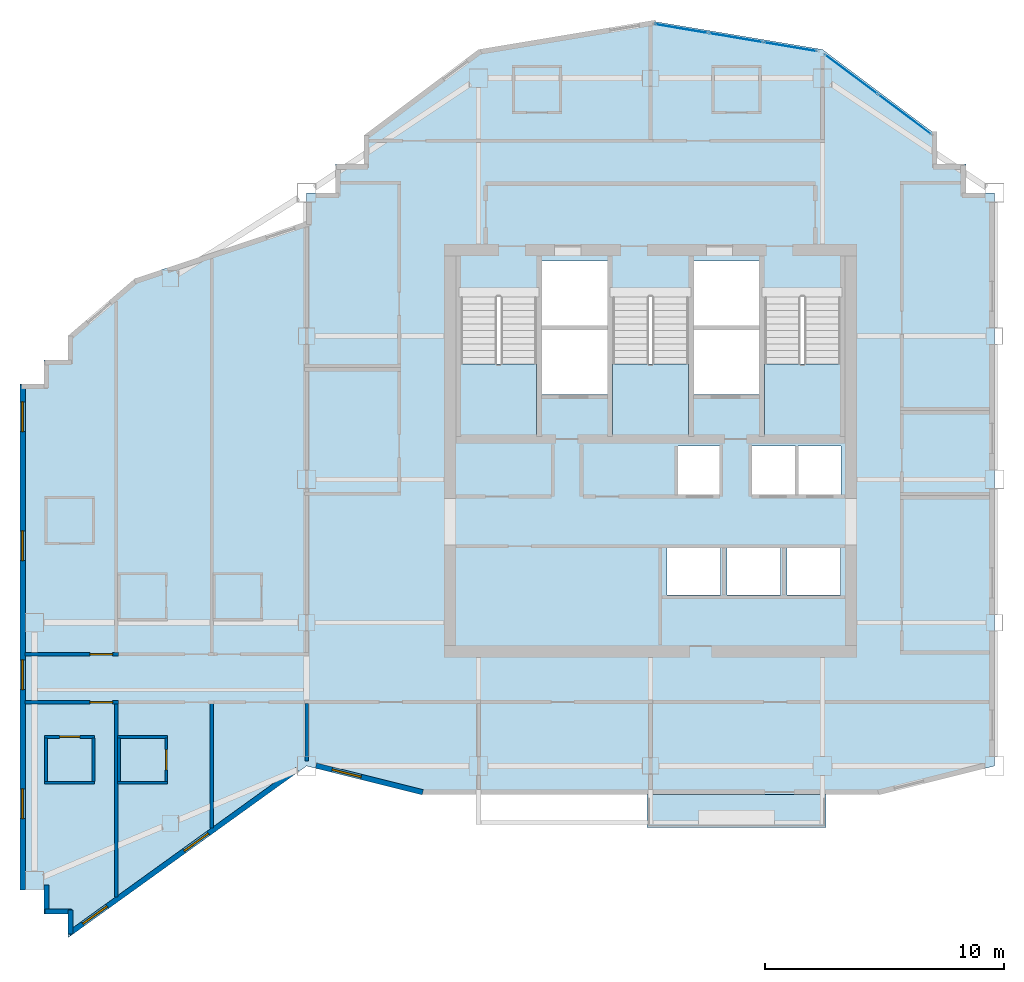
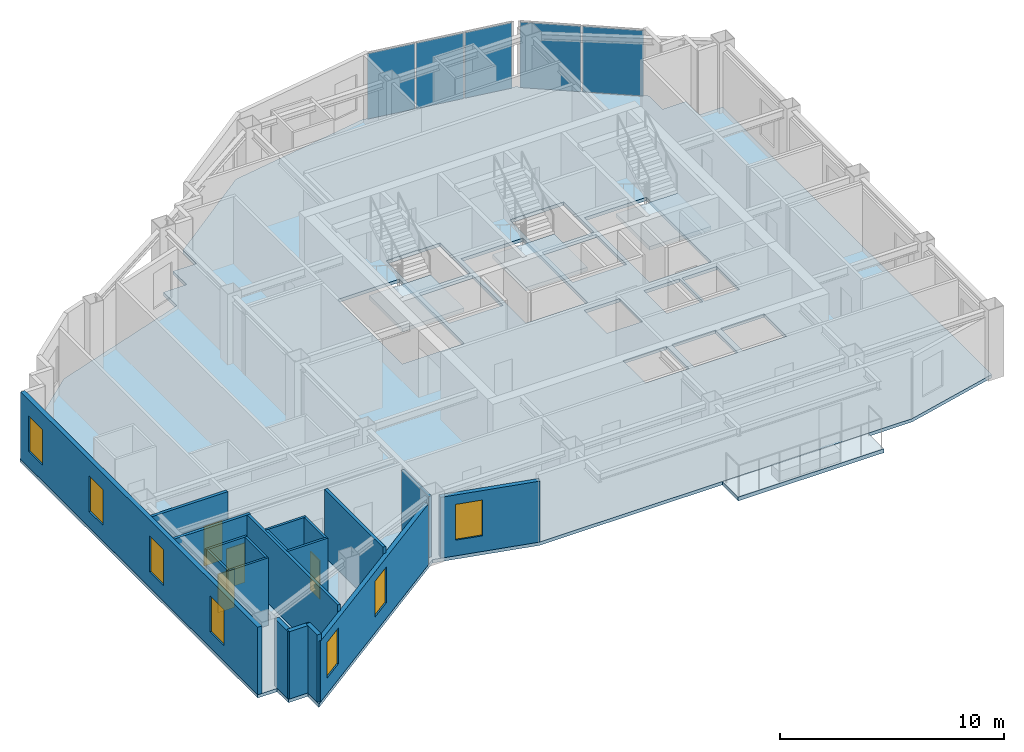
# One storey, part 4 of 9: 19 walls, 7 windows, 5 plates, 5 slabs, 4 doors, 11 openings, 5 elements without a shape of their own.
"""IFC4 building model written with IfcOpenShell, lengths in metres."""

from ifc_helpers import new_model, si_unit, direction, frame, frame_2d, origin, origin_2d, place, context, subcontext, project, spatial, polyline, rectangle, outline, extrude, material, layer, layer_set, type_object, element, fill, aggregate, save


model = new_model("IFC4")

# Units and contexts
model_context = context("Model", 3, precision=1e-05, world=origin(), true_north=direction((0.0, 1.0)))
body_context = subcontext(model_context, "Body", "Model", "MODEL_VIEW")
ifc_project = project(units=[si_unit("LENGTHUNIT", "METRE"), si_unit("AREAUNIT", "SQUARE_METRE"), si_unit("VOLUMEUNIT", "CUBIC_METRE"), si_unit("PLANEANGLEUNIT", "RADIAN"), si_unit("MASSUNIT", "GRAM", prefix="KILO")], contexts=[model_context])

# Site, building, storey
site_placement = place(None, origin())
site = spatial("IfcSite", under=ifc_project, at=site_placement, CompositionType="ELEMENT")
building_placement = place(site_placement, origin())
building = spatial("IfcBuilding", under=site, at=building_placement, Name="Haolan Belvedere Tower", CompositionType="ELEMENT")
storey_placement = place(building_placement, frame((0.0, 0.0, 269.85009765625)))
storey = spatial("IfcBuildingStorey", under=building, at=storey_placement, Name="L68", CompositionType="ELEMENT", Elevation=269.85009765625)

# Curtain wall, plates
ifc_material_1 = material(Name="Anodised champagne-silver aluminium 6063-T6 and Low-E glass", Category="aluminium")
ifc_layer_1 = layer(ifc_material_1, 0.14501953125, Name="Anodised champagne-silver aluminium 6063-T6 and Low-E glass")
ifc_layer_set_1 = layer_set([ifc_layer_1], Name="Anodised champagne-silver aluminium 6063-T6 and Low-E glass")
curtain_wall_type = type_object("IfcCurtainWallType", Name="CW-SYS-05", PredefinedType="NOTDEFINED", material=ifc_layer_set_1)
curtain_wall_1_placement = place(storey_placement, origin())
curtain_wall_1 = element("IfcCurtainWall", 1, at=curtain_wall_1_placement, inside=storey, type_object=curtain_wall_type, Name="L68 CW-SYS-05 ribbon curtain wall 8.1", PredefinedType="NOTDEFINED")
ifc_material_2 = material(Name="Double silver Low-E laminated insulating glass", Category="glass")
ifc_layer_2 = layer(ifc_material_2, 0.02197265625, Name="Double silver Low-E laminated insulating glass")
ifc_layer_set_2 = layer_set([ifc_layer_2], Name="Double silver Low-E laminated insulating glass")
plate_type = type_object("IfcPlateType", Name="CW-SYS-05-PNL", PredefinedType="CURTAIN_PANEL", material=ifc_layer_set_2)
plate_1_placement = place(storey_placement, frame((49.03955078125, 48.8828125, 0.0498046875), z_axis=(0.0, 0.0, 1.0), x_axis=(-0.799997871638, 0.600002837806, 0.0)))
plate_1 = element("IfcPlate", 2, at=plate_1_placement, type_object=plate_type, Name="CW-05 panel 1.1", PredefinedType="CURTAIN_PANEL", context=body_context, shape_type="SweptSolid", body=[
    extrude(rectangle(XDim=2.738037109375, YDim=0.02197265625, at=origin_2d()), origin(), (0.0, 0.0, 1.0), 3.570068359375),
])
plate_2_placement = place(storey_placement, frame((46.805908203125, 50.55810546875, 0.0498046875), z_axis=(0.0, 0.0, 1.0), x_axis=(-0.799997871638, 0.600002837806, 0.0)))
plate_2 = element("IfcPlate", 3, at=plate_2_placement, type_object=plate_type, Name="CW-05 panel 2.1", PredefinedType="CURTAIN_PANEL", context=body_context, shape_type="SweptSolid", body=[
    extrude(rectangle(XDim=2.738037109375, YDim=0.02197265625, at=origin_2d()), origin(), (0.0, 0.0, 1.0), 3.570068359375),
])
aggregate(curtain_wall_1, [plate_1, plate_2])

curtain_wall_2_placement = place(storey_placement, origin())
curtain_wall_2 = element("IfcCurtainWall", 4, at=curtain_wall_2_placement, inside=storey, type_object=curtain_wall_type, Name="L68 CW-SYS-05 ribbon curtain wall 9.1", PredefinedType="NOTDEFINED")
plate_3_placement = place(storey_placement, frame((44.257568359375, 51.712158203125, 0.0498046875), z_axis=(0.0, 0.0, 1.0), x_axis=(-0.98639276122, 0.164405962825, 0.0)))
plate_3 = element("IfcPlate", 5, at=plate_3_placement, type_object=plate_type, Name="CW-05 panel 1.1", PredefinedType="CURTAIN_PANEL", context=body_context, shape_type="SweptSolid", body=[
    extrude(rectangle(XDim=2.24365234375, YDim=0.02197265625, at=origin_2d()), origin(), (0.0, 0.0, 1.0), 3.570068359375),
])
plate_4_placement = place(storey_placement, frame((41.977783203125, 52.09228515625, 0.0498046875), z_axis=(0.0, 0.0, 1.0), x_axis=(-0.98639276122, 0.164405962825, 0.0)))
plate_4 = element("IfcPlate", 6, at=plate_4_placement, type_object=plate_type, Name="CW-05 panel 2.1", PredefinedType="CURTAIN_PANEL", context=body_context, shape_type="SweptSolid", body=[
    extrude(rectangle(XDim=2.270751953125, YDim=0.02197265625, at=origin_2d()), origin(), (0.0, 0.0, 1.0), 3.570068359375),
])
plate_5_placement = place(storey_placement, frame((39.697998046875, 52.47216796875, 0.0498046875), z_axis=(0.0, 0.0, 1.0), x_axis=(-0.98639276122, 0.164405962825, 0.0)))
plate_5 = element("IfcPlate", 7, at=plate_5_placement, type_object=plate_type, Name="CW-05 panel 3.1", PredefinedType="CURTAIN_PANEL", context=body_context, shape_type="SweptSolid", body=[
    extrude(rectangle(XDim=2.24365234375, YDim=0.02197265625, at=origin_2d()), origin(), (0.0, 0.0, 1.0), 3.570068359375),
])
aggregate(curtain_wall_2, [plate_3, plate_4, plate_5])

# Slabs
ifc_material_3 = material(Name="Concrete C40/50", Category="concrete")
ifc_layer_3 = layer(ifc_material_3, 0.2099609375, Name="Concrete C40/50")
ifc_layer_set_3 = layer_set([ifc_layer_3], Name="Concrete C40/50")
slab_type_1 = type_object("IfcSlabType", Name="SL-BAL-210", PredefinedType="FLOOR", material=ifc_layer_set_3)
slab_1_placement = place(storey_placement, frame((0.0, 0.0, -0.22998046875)))
element("IfcSlab", 8, at=slab_1_placement, inside=storey, type_object=slab_type_1, Name="L68 structural tree-planter balcony slab BAL-L68-S1", PredefinedType="FLOOR", context=body_context, shape_type="SweptSolid", body=[
    extrude(outline(polyline([(38.25, 19.02001953125), (45.75, 19.02001953125), (45.75, 20.39990234375), (38.25, 20.39990234375), (38.25, 19.02001953125)])), origin(), (0.0, 0.0, 1.0), 0.2099609375),
])
ifc_layer_4 = layer(ifc_material_3, 0.179931640625, Name="Concrete C40/50")
ifc_layer_set_4 = layer_set([ifc_layer_4], Name="Concrete C40/50")
slab_type_2 = type_object("IfcSlabType", Name="SL-FLR-180", PredefinedType="FLOOR", material=ifc_layer_set_4)
slab_2_placement = place(storey_placement, frame((0.0, 0.0, -0.18017578125)))
element("IfcSlab", 9, at=slab_2_placement, inside=storey, type_object=slab_type_2, Name="L68 structural floor slab", PredefinedType="FLOOR", context=body_context, shape_type="SweptSolid", body=[
    extrude(outline(polyline([(24.0, 21.60009765625), (28.800048828125, 20.39990234375), (48.0, 20.39990234375), (52.800048828125, 21.60009765625), (52.800048828125, 45.60009765625), (51.60009765625, 45.60009765625), (51.60009765625, 46.800048828125), (50.39990234375, 46.800048828125), (50.39990234375, 48.0), (45.60009765625, 51.60009765625), (38.39990234375, 52.800048828125), (31.199951171875, 51.60009765625), (26.39990234375, 48.0), (26.39990234375, 46.800048828125), (25.199951171875, 46.800048828125), (25.199951171875, 45.60009765625), (24.0, 45.60009765625), (24.0, 44.39990234375), (16.800048828125, 42.0), (14.0, 39.60009765625), (14.0, 38.60009765625), (13.0, 38.60009765625), (13.0, 37.60009765625), (12.0, 37.60009765625), (12.0, 16.800048828125), (12.0, 16.39990234375), (13.0, 16.39990234375), (13.0, 15.39990234375), (14.0, 15.39990234375), (14.0, 14.39990234375), (24.0, 21.60009765625)]), holes=[polyline([(30.449951171875, 41.22998046875), (30.449951171875, 35.449951171875), (33.6298828125, 35.449951171875), (33.6298828125, 41.22998046875), (30.449951171875, 41.22998046875)]), polyline([(36.81005859375, 41.22998046875), (36.81005859375, 35.449951171875), (39.989990234375, 35.449951171875), (39.989990234375, 41.22998046875), (36.81005859375, 41.22998046875)]), polyline([(43.169921875, 41.22998046875), (43.169921875, 35.449951171875), (46.35009765625, 35.449951171875), (46.35009765625, 41.22998046875), (43.169921875, 41.22998046875)]), polyline([(33.830078125, 40.050048828125), (36.610107421875, 40.050048828125), (36.610107421875, 42.75), (33.830078125, 42.75), (33.830078125, 40.050048828125)]), polyline([(33.830078125, 37.14990234375), (36.610107421875, 37.14990234375), (36.610107421875, 39.85009765625), (33.830078125, 39.85009765625), (33.830078125, 37.14990234375)]), polyline([(40.18994140625, 40.050048828125), (42.969970703125, 40.050048828125), (42.969970703125, 42.75), (40.18994140625, 42.75), (40.18994140625, 40.050048828125)]), polyline([(40.18994140625, 37.14990234375), (42.969970703125, 37.14990234375), (42.969970703125, 39.85009765625), (40.18994140625, 39.85009765625), (40.18994140625, 37.14990234375)]), polyline([(39.5400390625, 32.949951171875), (41.389892578125, 32.949951171875), (41.389892578125, 35.0), (39.5400390625, 35.0), (39.5400390625, 32.949951171875)]), polyline([(42.6201171875, 32.949951171875), (44.469970703125, 32.949951171875), (44.469970703125, 35.0), (42.6201171875, 35.0), (42.6201171875, 32.949951171875)]), polyline([(44.580078125, 32.949951171875), (46.3798828125, 32.949951171875), (46.3798828125, 35.0), (44.580078125, 35.0), (44.580078125, 32.949951171875)]), polyline([(39.10009765625, 28.75), (41.340087890625, 28.75), (41.340087890625, 30.75), (39.10009765625, 30.75), (39.10009765625, 28.75)]), polyline([(41.610107421875, 28.75), (43.85009765625, 28.75), (43.85009765625, 30.75), (41.610107421875, 30.75), (41.610107421875, 28.75)]), polyline([(44.1201171875, 28.75), (46.360107421875, 28.75), (46.360107421875, 30.75), (44.1201171875, 30.75), (44.1201171875, 28.75)])]), origin(), (0.0, 0.0, 1.0), 0.18017578125),
])

# Stair, slab
stair_type = type_object("IfcStairType", Name="STR-DL-22R-175", PredefinedType="HALF_TURN_STAIR", material=ifc_material_3)
stair_1_placement = place(storey_placement, origin())
stair_1 = element("IfcStair", 10, at=stair_1_placement, inside=storey, type_object=stair_type, Name="L68 Smokeproof Core Exit Stair ST1", PredefinedType="HALF_TURN_STAIR")
ifc_layer_5 = layer(ifc_material_3, 0.199951171875, Name="Concrete C40/50")
ifc_layer_set_5 = layer_set([ifc_layer_5], Name="Concrete C40/50")
slab_type_3 = type_object("IfcSlabType", Name="SL-LAND-200", PredefinedType="LANDING", material=ifc_layer_set_5)
slab_3_placement = place(storey_placement, frame((0.0, 0.0, 1.724853515625)))
slab_3 = element("IfcSlab", 11, at=slab_3_placement, type_object=slab_type_3, Name="ST1 landing 1", PredefinedType="LANDING", context=body_context, shape_type="SweptSolid", body=[
    extrude(outline(polyline([(30.449951171875, 38.429931640625), (30.449951171875, 35.449951171875), (33.6298828125, 35.449951171875), (33.6298828125, 38.429931640625), (30.449951171875, 38.429931640625)])), origin(), (0.0, 0.0, 1.0), 0.199951171875),
])
aggregate(stair_1, [slab_3])

stair_2_placement = place(storey_placement, origin())
stair_2 = element("IfcStair", 12, at=stair_2_placement, inside=storey, type_object=stair_type, Name="L68 Smokeproof Core Exit Stair ST3", PredefinedType="HALF_TURN_STAIR")
slab_4_placement = place(storey_placement, frame((0.0, 0.0, 1.724853515625)))
slab_4 = element("IfcSlab", 13, at=slab_4_placement, type_object=slab_type_3, Name="ST3 landing 1", PredefinedType="LANDING", context=body_context, shape_type="SweptSolid", body=[
    extrude(outline(polyline([(36.81005859375, 38.429931640625), (36.81005859375, 35.449951171875), (39.989990234375, 35.449951171875), (39.989990234375, 38.429931640625), (36.81005859375, 38.429931640625)])), origin(), (0.0, 0.0, 1.0), 0.199951171875),
])
aggregate(stair_2, [slab_4])

stair_3_placement = place(storey_placement, origin())
stair_3 = element("IfcStair", 14, at=stair_3_placement, inside=storey, type_object=stair_type, Name="L68 Smokeproof Core Exit Stair ST2", PredefinedType="HALF_TURN_STAIR")
slab_5_placement = place(storey_placement, frame((0.0, 0.0, 1.724853515625)))
slab_5 = element("IfcSlab", 15, at=slab_5_placement, type_object=slab_type_3, Name="ST2 landing 1", PredefinedType="LANDING", context=body_context, shape_type="SweptSolid", body=[
    extrude(outline(polyline([(43.169921875, 38.429931640625), (43.169921875, 35.449951171875), (46.35009765625, 35.449951171875), (46.35009765625, 38.429931640625), (43.169921875, 38.429931640625)])), origin(), (0.0, 0.0, 1.0), 0.199951171875),
])
aggregate(stair_3, [slab_5])

# Wall, openings, windows
ifc_material_4 = material(Name="Precast concrete C40/50", Category="concrete")
ifc_layer_6 = layer(ifc_material_4, 0.219970703125, Name="Precast concrete C40/50")
ifc_layer_set_6 = layer_set([ifc_layer_6], Name="Precast concrete C40/50")
wall_type_1 = type_object("IfcWallType", Name="WL-EXT-220", PredefinedType="SOLIDWALL", material=ifc_layer_set_6)
wall_1_placement = place(storey_placement, frame((12.110107421875, 37.544921875, 0.0), z_axis=(0.0, 0.0, 1.0), x_axis=(0.0, -1.0, 0.0)))
wall_1 = element("IfcWall", 16, at=wall_1_placement, inside=storey, type_object=wall_type_1, Name="L68 pale-metal exterior spandrel wall 23.1", PredefinedType="SOLIDWALL", context=body_context, shape_type="SweptSolid", body=[
    extrude(rectangle(XDim=21.14501953125, YDim=0.219970703125, at=frame_2d((10.572509765625, 0.0))), origin(), (0.0, 0.0, 1.0), 3.669921875),
])
opening_1_placement = place(wall_1_placement, frame((0.699951171875, 0.0, 0.85009765625)))
opening_1 = element("IfcOpeningElement", 17, at=opening_1_placement, cuts=wall_1, Name="Opening W-04", PredefinedType="OPENING", context=body_context, shape_type="SweptSolid", body=[
    extrude(rectangle(XDim=1.25, YDim=1.949951171875, at=frame_2d((0.625, 0.97509765625))), frame((0.0, 0.119873046875, 0.0), z_axis=(0.0, -1.0, 0.0), x_axis=(1.0, 0.0, 0.0)), (0.0, 0.0, 1.0), 0.239990234375),
])
opening_2_placement = place(wall_1_placement, frame((6.10009765625, 0.0, 0.85009765625)))
opening_2 = element("IfcOpeningElement", 18, at=opening_2_placement, cuts=wall_1, Name="Opening W-04", PredefinedType="OPENING", context=body_context, shape_type="SweptSolid", body=[
    extrude(rectangle(XDim=1.25, YDim=1.949951171875, at=frame_2d((0.625, 0.97509765625))), frame((0.0, 0.119873046875, 0.0), z_axis=(0.0, -1.0, 0.0), x_axis=(1.0, 0.0, 0.0)), (0.0, 0.0, 1.0), 0.239990234375),
])
opening_3_placement = place(wall_1_placement, frame((11.5, 0.0, 0.85009765625)))
opening_3 = element("IfcOpeningElement", 19, at=opening_3_placement, cuts=wall_1, Name="Opening W-04", PredefinedType="OPENING", context=body_context, shape_type="SweptSolid", body=[
    extrude(rectangle(XDim=1.25, YDim=1.949951171875, at=frame_2d((0.625, 0.97509765625))), frame((0.0, 0.119873046875, 0.0), z_axis=(0.0, -1.0, 0.0), x_axis=(1.0, 0.0, 0.0)), (0.0, 0.0, 1.0), 0.239990234375),
])
opening_4_placement = place(wall_1_placement, frame((16.89990234375, 0.0, 0.85009765625)))
opening_4 = element("IfcOpeningElement", 20, at=opening_4_placement, cuts=wall_1, Name="Opening W-04", PredefinedType="OPENING", context=body_context, shape_type="SweptSolid", body=[
    extrude(rectangle(XDim=1.25, YDim=1.949951171875, at=frame_2d((0.625, 0.97509765625))), frame((0.0, 0.119873046875, 0.0), z_axis=(0.0, -1.0, 0.0), x_axis=(1.0, 0.0, 0.0)), (0.0, 0.0, 1.0), 0.239990234375),
])
ifc_material_5 = material(Name="Anodised aluminium 6063-T6 and Low-E glass", Category="aluminium")
window_type = type_object("IfcWindowType", Name="WN-DECO-Z4", PartitioningType="SINGLE_PANEL", PredefinedType="WINDOW", material=ifc_material_5)
window_1_placement = place(opening_1_placement, origin())
window_1 = element("IfcWindow", 21, at=window_1_placement, inside=storey, type_object=window_type, Name="L68 Art Deco chevron window 1", OverallHeight=1.949951171875, OverallWidth=1.25, PartitioningType="SINGLE_PANEL", PredefinedType="WINDOW", context=body_context, shape_type="SweptSolid", body=[
    extrude(rectangle(XDim=1.25, YDim=1.949951171875, at=frame_2d((0.625, 0.97509765625))), frame((0.0, 0.030029296875, 0.0), z_axis=(0.0, -1.0, 0.0), x_axis=(1.0, 0.0, 0.0)), (0.0, 0.0, 1.0), 0.06005859375),
])
fill(opening_1, window_1)
window_2_placement = place(opening_2_placement, origin())
window_2 = element("IfcWindow", 22, at=window_2_placement, inside=storey, type_object=window_type, Name="L68 Art Deco chevron window 2", OverallHeight=1.949951171875, OverallWidth=1.25, PartitioningType="SINGLE_PANEL", PredefinedType="WINDOW", context=body_context, shape_type="SweptSolid", body=[
    extrude(rectangle(XDim=1.25, YDim=1.949951171875, at=frame_2d((0.625, 0.97509765625))), frame((0.0, 0.030029296875, 0.0), z_axis=(0.0, -1.0, 0.0), x_axis=(1.0, 0.0, 0.0)), (0.0, 0.0, 1.0), 0.06005859375),
])
fill(opening_2, window_2)
window_3_placement = place(opening_3_placement, origin())
window_3 = element("IfcWindow", 23, at=window_3_placement, inside=storey, type_object=window_type, Name="L68 Art Deco chevron window 3", OverallHeight=1.949951171875, OverallWidth=1.25, PartitioningType="SINGLE_PANEL", PredefinedType="WINDOW", context=body_context, shape_type="SweptSolid", body=[
    extrude(rectangle(XDim=1.25, YDim=1.949951171875, at=frame_2d((0.625, 0.97509765625))), frame((0.0, 0.030029296875, 0.0), z_axis=(0.0, -1.0, 0.0), x_axis=(1.0, 0.0, 0.0)), (0.0, 0.0, 1.0), 0.06005859375),
])
fill(opening_3, window_3)
window_4_placement = place(opening_4_placement, origin())
window_4 = element("IfcWindow", 24, at=window_4_placement, inside=storey, type_object=window_type, Name="L68 Art Deco chevron window 4", OverallHeight=1.949951171875, OverallWidth=1.25, PartitioningType="SINGLE_PANEL", PredefinedType="WINDOW", context=body_context, shape_type="SweptSolid", body=[
    extrude(rectangle(XDim=1.25, YDim=1.949951171875, at=frame_2d((0.625, 0.97509765625))), frame((0.0, 0.030029296875, 0.0), z_axis=(0.0, -1.0, 0.0), x_axis=(1.0, 0.0, 0.0)), (0.0, 0.0, 1.0), 0.06005859375),
])
fill(opening_4, window_4)

# Walls
wall_2_placement = place(storey_placement, frame((13.110107421875, 16.6201171875, 0.0), z_axis=(0.0, 0.0, 1.0), x_axis=(0.0, -1.0, 0.0)))
element("IfcWall", 25, at=wall_2_placement, inside=storey, type_object=wall_type_1, Name="L68 pale-metal exterior spandrel wall 25.1", PredefinedType="SOLIDWALL", context=body_context, shape_type="SweptSolid", body=[
    extrude(rectangle(XDim=1.1650390625, YDim=0.219970703125, at=frame_2d((0.58251953125, 0.0))), origin(), (0.0, 0.0, 1.0), 3.669921875),
])
wall_3_placement = place(storey_placement, frame((13.054931640625, 15.510009765625, 0.0), z_axis=(0.0, 0.0, 1.0), x_axis=(1.0, 0.0, 0.0)))
element("IfcWall", 26, at=wall_3_placement, inside=storey, type_object=wall_type_1, Name="L68 pale-metal exterior spandrel wall 26.1", PredefinedType="SOLIDWALL", context=body_context, shape_type="SweptSolid", body=[
    extrude(rectangle(XDim=1.110107421875, YDim=0.219970703125, at=frame_2d((0.55517578125, 0.0))), origin(), (0.0, 0.0, 1.0), 3.669921875),
])
wall_4_placement = place(storey_placement, frame((14.110107421875, 15.56494140625, 0.0), z_axis=(0.0, 0.0, 1.0), x_axis=(0.0, -1.0, 0.0)))
element("IfcWall", 27, at=wall_4_placement, inside=storey, type_object=wall_type_1, Name="L68 pale-metal exterior spandrel wall 27.1", PredefinedType="SOLIDWALL", context=body_context, shape_type="SweptSolid", body=[
    extrude(rectangle(XDim=1.005126953125, YDim=0.219970703125, at=frame_2d((0.50244140625, 0.0))), origin(), (0.0, 0.0, 1.0), 3.669921875),
])

# Wall, openings, windows
wall_5_placement = place(storey_placement, frame((14.0654296875, 14.58251953125, 0.0), z_axis=(0.0, 0.0, 1.0), x_axis=(0.811523708458, 0.584319493608, 0.0)))
wall_5 = element("IfcWall", 28, at=wall_5_placement, inside=storey, type_object=wall_type_1, Name="L68 pale-metal exterior spandrel wall 28.1", PredefinedType="SOLIDWALL", context=body_context, shape_type="SweptSolid", body=[
    extrude(rectangle(XDim=11.7587890625, YDim=0.219970703125, at=frame_2d((5.87939453125, 0.0))), origin(), (0.0, 0.0, 1.0), 3.31494140625),
])
opening_5_placement = place(wall_5_placement, frame((0.699951171875, 0.0, 0.85009765625)))
opening_5 = element("IfcOpeningElement", 29, at=opening_5_placement, cuts=wall_5, Name="Opening W-04", PredefinedType="OPENING", context=body_context, shape_type="SweptSolid", body=[
    extrude(rectangle(XDim=1.25, YDim=1.949951171875, at=frame_2d((0.625, 0.97509765625))), frame((0.0, 0.119873046875, 0.0), z_axis=(0.0, -1.0, 0.0), x_axis=(1.0, 0.0, 0.0)), (0.0, 0.0, 1.0), 0.239990234375),
])
opening_6_placement = place(wall_5_placement, frame((5.92578125, 0.0, 0.85009765625)))
opening_6 = element("IfcOpeningElement", 30, at=opening_6_placement, cuts=wall_5, Name="Opening W-04", PredefinedType="OPENING", context=body_context, shape_type="SweptSolid", body=[
    extrude(rectangle(XDim=1.25, YDim=1.949951171875, at=frame_2d((0.625, 0.97509765625))), frame((0.0, 0.119873046875, 0.0), z_axis=(0.0, -1.0, 0.0), x_axis=(1.0, 0.0, 0.0)), (0.0, 0.0, 1.0), 0.239990234375),
])
window_5_placement = place(opening_5_placement, origin())
window_5 = element("IfcWindow", 31, at=window_5_placement, inside=storey, type_object=window_type, Name="L68 Art Deco chevron window 1", OverallHeight=1.949951171875, OverallWidth=1.25, PartitioningType="SINGLE_PANEL", PredefinedType="WINDOW", context=body_context, shape_type="SweptSolid", body=[
    extrude(rectangle(XDim=1.25, YDim=1.949951171875, at=frame_2d((0.625, 0.97509765625))), frame((0.0, 0.030029296875, 0.0), z_axis=(0.0, -1.0, 0.0), x_axis=(1.0, 0.0, 0.0)), (0.0, 0.0, 1.0), 0.06005859375),
])
fill(opening_5, window_5)
window_6_placement = place(opening_6_placement, origin())
window_6 = element("IfcWindow", 32, at=window_6_placement, inside=storey, type_object=window_type, Name="L68 Art Deco chevron window 2", OverallHeight=1.949951171875, OverallWidth=1.25, PartitioningType="SINGLE_PANEL", PredefinedType="WINDOW", context=body_context, shape_type="SweptSolid", body=[
    extrude(rectangle(XDim=1.25, YDim=1.949951171875, at=frame_2d((0.625, 0.97509765625))), frame((0.0, 0.030029296875, 0.0), z_axis=(0.0, -1.0, 0.0), x_axis=(1.0, 0.0, 0.0)), (0.0, 0.0, 1.0), 0.06005859375),
])
fill(opening_6, window_6)

# Wall, opening, window
wall_6_placement = place(storey_placement, frame((24.39208984375, 21.615478515625, 0.0), z_axis=(0.0, 0.0, 1.0), x_axis=(0.970133159038, -0.242572986408, 0.0)))
wall_6 = element("IfcWall", 33, at=wall_6_placement, inside=storey, type_object=wall_type_1, Name="L68 pale-metal exterior spandrel wall 29.1", PredefinedType="SOLIDWALL", context=body_context, shape_type="SweptSolid", body=[
    extrude(rectangle(XDim=4.612548828125, YDim=0.219970703125, at=frame_2d((2.30615234375, 0.0))), origin(), (0.0, 0.0, 1.0), 3.31494140625),
])
opening_7_placement = place(wall_6_placement, frame((0.699951171875, 0.0, 0.85009765625)))
opening_7 = element("IfcOpeningElement", 34, at=opening_7_placement, cuts=wall_6, Name="Opening W-04", PredefinedType="OPENING", context=body_context, shape_type="SweptSolid", body=[
    extrude(rectangle(XDim=1.25, YDim=1.949951171875, at=frame_2d((0.625, 0.97509765625))), frame((0.0, 0.119873046875, 0.0), z_axis=(0.0, -1.0, 0.0), x_axis=(1.0, 0.0, 0.0)), (0.0, 0.0, 1.0), 0.239990234375),
])
window_7_placement = place(opening_7_placement, origin())
window_7 = element("IfcWindow", 35, at=window_7_placement, inside=storey, type_object=window_type, Name="L68 Art Deco chevron window 1", OverallHeight=1.949951171875, OverallWidth=1.25, PartitioningType="SINGLE_PANEL", PredefinedType="WINDOW", context=body_context, shape_type="SweptSolid", body=[
    extrude(rectangle(XDim=1.25, YDim=1.949951171875, at=frame_2d((0.625, 0.97509765625))), frame((0.0, 0.030029296875, 0.0), z_axis=(0.0, -1.0, 0.0), x_axis=(1.0, 0.0, 0.0)), (0.0, 0.0, 1.0), 0.06005859375),
])
fill(opening_7, window_7)

# Wall
ifc_material_6 = material(Name="Double gypsum acoustic stud partition", Category="masonry")
ifc_layer_7 = layer(ifc_material_6, 0.14990234375, Name="Double gypsum acoustic stud partition")
ifc_layer_set_7 = layer_set([ifc_layer_7], Name="Double gypsum acoustic stud partition")
wall_type_2 = type_object("IfcWallType", Name="WL-PART-150", PredefinedType="PARTITIONING", material=ifc_layer_set_7)
wall_7_placement = place(storey_placement, frame((24.0, 21.818603515625, 0.0), z_axis=(0.0, 0.0, 1.0), x_axis=(0.0, 1.0, 0.0)))
element("IfcWall", 36, at=wall_7_placement, inside=storey, type_object=wall_type_2, Name="L68 interior partition IW-L68-KS1-W", PredefinedType="PARTITIONING", context=body_context, shape_type="SweptSolid", body=[
    extrude(rectangle(XDim=2.4013671875, YDim=0.14990234375, at=frame_2d((1.20068359375, 0.0))), origin(), (0.0, 0.0, 1.0), 3.31494140625),
])

# Wall, opening, door
wall_8_placement = place(storey_placement, frame((12.2119140625, 26.280029296875, 0.0), z_axis=(0.0, 0.0, 1.0), x_axis=(1.0, 0.0, 0.0)))
wall_8 = element("IfcWall", 37, at=wall_8_placement, inside=storey, type_object=wall_type_2, Name="L68 interior partition IW-L68-T2N1-S", PredefinedType="PARTITIONING", context=body_context, shape_type="SweptSolid", body=[
    extrude(rectangle(XDim=3.91796875, YDim=0.14990234375, at=frame_2d((1.958984375, 0.0))), origin(), (0.0, 0.0, 1.0), 3.669921875),
])
opening_8_placement = place(wall_8_placement, frame((2.71337890625, 0.0, 0.0)))
opening_8 = element("IfcOpeningElement", 38, at=opening_8_placement, cuts=wall_8, Name="Opening ID-02", PredefinedType="OPENING", context=body_context, shape_type="SweptSolid", body=[
    extrude(rectangle(XDim=0.949951171875, YDim=2.14990234375, at=frame_2d((0.47509765625, 1.074951171875))), frame((0.0, 0.0849609375, 0.0), z_axis=(0.0, -1.0, 0.0), x_axis=(1.0, 0.0, 0.0)), (0.0, 0.0, 1.0), 0.169921875),
])
ifc_material_7 = material(Name="Acoustic oak veneer fire-rated timber", Category="wood")
door_type_1 = type_object("IfcDoorType", Name="DR-GUEST-950", OperationType="NOTDEFINED", PredefinedType="DOOR", material=ifc_material_7)
door_1_placement = place(opening_8_placement, origin())
door_1 = element("IfcDoor", 39, at=door_1_placement, inside=storey, type_object=door_type_1, Name="L68 door ID-L68-T2N1-ENT", OperationType="SINGLE_SWING_RIGHT", OverallHeight=2.14990234375, OverallWidth=0.949951171875, PredefinedType="DOOR", context=body_context, shape_type="SweptSolid", body=[
    extrude(rectangle(XDim=0.949951171875, YDim=2.14990234375, at=frame_2d((0.47509765625, 1.074951171875))), frame((0.0, 0.02490234375, 0.0), z_axis=(0.0, -1.0, 0.0), x_axis=(1.0, 0.0, 0.0)), (0.0, 0.0, 1.0), 0.050048828125),
])
fill(opening_8, door_1)

wall_9_placement = place(storey_placement, frame((12.2119140625, 24.27001953125, 0.0), z_axis=(0.0, 0.0, 1.0), x_axis=(1.0, 0.0, 0.0)))
wall_9 = element("IfcWall", 40, at=wall_9_placement, inside=storey, type_object=wall_type_2, Name="L68 interior partition IW-L68-T2S1-N", PredefinedType="PARTITIONING", context=body_context, shape_type="SweptSolid", body=[
    extrude(rectangle(XDim=3.91796875, YDim=0.14990234375, at=frame_2d((1.958984375, 0.0))), origin(), (0.0, 0.0, 1.0), 3.669921875),
])
opening_9_placement = place(wall_9_placement, frame((3.663330078125, 0.0, 0.0), z_axis=(0.0, 0.0, 1.0), x_axis=(-1.0, 0.0, 0.0)))
opening_9 = element("IfcOpeningElement", 41, at=opening_9_placement, cuts=wall_9, Name="Opening ID-02", PredefinedType="OPENING", context=body_context, shape_type="SweptSolid", body=[
    extrude(rectangle(XDim=0.949951171875, YDim=2.14990234375, at=frame_2d((0.47509765625, 1.074951171875))), frame((0.0, 0.0849609375, 0.0), z_axis=(0.0, -1.0, 0.0), x_axis=(1.0, 0.0, 0.0)), (0.0, 0.0, 1.0), 0.169921875),
])
door_2_placement = place(opening_9_placement, origin())
door_2 = element("IfcDoor", 42, at=door_2_placement, inside=storey, type_object=door_type_1, Name="L68 door ID-L68-T2S1-ENT", OperationType="SINGLE_SWING_LEFT", OverallHeight=2.14990234375, OverallWidth=0.949951171875, PredefinedType="DOOR", context=body_context, shape_type="SweptSolid", body=[
    extrude(rectangle(XDim=0.949951171875, YDim=2.14990234375, at=frame_2d((0.47509765625, 1.074951171875))), frame((0.0, 0.02490234375, 0.0), z_axis=(0.0, -1.0, 0.0), x_axis=(1.0, 0.0, 0.0)), (0.0, 0.0, 1.0), 0.050048828125),
])
fill(opening_9, door_2)

# Walls
wall_10_placement = place(storey_placement, frame((16.030029296875, 16.122802734375, 0.0), z_axis=(0.0, 0.0, 1.0), x_axis=(0.0, 1.0, 0.0)))
element("IfcWall", 43, at=wall_10_placement, inside=storey, type_object=wall_type_2, Name="L68 interior partition IW-L68-T2S1-E", PredefinedType="PARTITIONING", context=body_context, shape_type="SweptSolid", body=[
    extrude(rectangle(XDim=8.087158203125, YDim=0.14990234375, at=frame_2d((4.04345703125, 0.0))), origin(), (0.0, 0.0, 1.0), 3.669921875),
])
wall_11_placement = place(storey_placement, frame((20.02001953125, 18.99560546875, 0.0), z_axis=(0.0, 0.0, 1.0), x_axis=(0.0, 1.0, 0.0)))
element("IfcWall", 44, at=wall_11_placement, inside=storey, type_object=wall_type_2, Name="L68 interior partition IW-L68-T2S2-E", PredefinedType="PARTITIONING", context=body_context, shape_type="SweptSolid", body=[
    extrude(rectangle(XDim=5.21435546875, YDim=0.14990234375, at=frame_2d((2.607177734375, 0.0))), origin(), (0.0, 0.0, 1.0), 3.669921875),
])

# Wall, opening, door
ifc_material_8 = material(Name="Moisture-resistant gypsum tile partition", Category="masonry")
ifc_layer_8 = layer(ifc_material_8, 0.1201171875, Name="Moisture-resistant gypsum tile partition")
ifc_layer_set_8 = layer_set([ifc_layer_8], Name="Moisture-resistant gypsum tile partition")
wall_type_3 = type_object("IfcWallType", Name="WL-WET-120", PredefinedType="PARTITIONING", material=ifc_layer_set_8)
wall_12_placement = place(storey_placement, frame((13.030029296875, 22.820068359375, 0.0), z_axis=(0.0, 0.0, 1.0), x_axis=(1.0, 0.0, 0.0)))
wall_12 = element("IfcWall", 45, at=wall_12_placement, inside=storey, type_object=wall_type_3, Name="L68 interior partition IW-L68-T2S1-BN", PredefinedType="PARTITIONING", context=body_context, shape_type="SweptSolid", body=[
    extrude(rectangle(XDim=2.099853515625, YDim=0.1201171875, at=frame_2d((1.0498046875, 0.0))), origin(), (0.0, 0.0, 1.0), 3.669921875),
])
opening_10_placement = place(wall_12_placement, frame((1.47509765625, 0.0, 0.0), z_axis=(0.0, 0.0, 1.0), x_axis=(-1.0, 0.0, 0.0)))
opening_10 = element("IfcOpeningElement", 46, at=opening_10_placement, cuts=wall_12, Name="Opening ID-05", PredefinedType="OPENING", context=body_context, shape_type="SweptSolid", body=[
    extrude(rectangle(XDim=0.85009765625, YDim=2.10009765625, at=frame_2d((0.425048828125, 1.050048828125))), frame((0.0, 0.070068359375, 0.0), z_axis=(0.0, -1.0, 0.0), x_axis=(1.0, 0.0, 0.0)), (0.0, 0.0, 1.0), 0.14013671875),
])
ifc_material_9 = material(Name="Moisture-resistant lacquered timber", Category="wood")
door_type_2 = type_object("IfcDoorType", Name="DR-BATH-850", OperationType="NOTDEFINED", PredefinedType="DOOR", material=ifc_material_9)
door_3_placement = place(opening_10_placement, origin())
door_3 = element("IfcDoor", 47, at=door_3_placement, inside=storey, type_object=door_type_2, Name="L68 door ID-L68-T2S1-BATH", OperationType="SINGLE_SWING_RIGHT", OverallHeight=2.10009765625, OverallWidth=0.85009765625, PredefinedType="DOOR", context=body_context, shape_type="SweptSolid", body=[
    extrude(rectangle(XDim=0.85009765625, YDim=2.10009765625, at=frame_2d((0.425048828125, 1.050048828125))), frame((0.0, 0.02490234375, 0.0), z_axis=(0.0, -1.0, 0.0), x_axis=(1.0, 0.0, 0.0)), (0.0, 0.0, 1.0), 0.050048828125),
])
fill(opening_10, door_3)

# Walls
wall_13_placement = place(storey_placement, frame((13.030029296875, 20.89990234375, 0.0), z_axis=(0.0, 0.0, 1.0), x_axis=(1.0, 0.0, 0.0)))
element("IfcWall", 48, at=wall_13_placement, inside=storey, type_object=wall_type_3, Name="L68 interior partition IW-L68-T2S1-BS", PredefinedType="PARTITIONING", context=body_context, shape_type="SweptSolid", body=[
    extrude(rectangle(XDim=2.099853515625, YDim=0.1201171875, at=frame_2d((1.0498046875, 0.0))), origin(), (0.0, 0.0, 1.0), 3.669921875),
])
for number, where, z_axis, x_axis, name in (
    (49, (13.090087890625, 20.945068359375, 0.0), (0.0, 0.0, 1.0), (0.0, 1.0, 0.0), "L68 interior partition IW-L68-T2S1-BW"),
    (50, (15.070068359375, 20.945068359375, 0.0), (0.0, 0.0, 1.0), (0.0, 1.0, 0.0), "L68 interior partition IW-L68-T2S1-BE"),
):
    element("IfcWall", number, at=place(storey_placement, frame(where, z_axis=z_axis, x_axis=x_axis)), inside=storey, type_object=wall_type_3, Name=name, PredefinedType="PARTITIONING", context=body_context, shape_type="SweptSolid", body=[
        extrude(rectangle(XDim=1.829833984375, YDim=0.1201171875, at=frame_2d((0.9150390625, 0.0))), origin(), (0.0, 0.0, 1.0), 3.669921875),
    ])
for number, where, z_axis, x_axis, name in (
    (51, (16.090087890625, 22.820068359375, 0.0), (0.0, 0.0, 1.0), (1.0, 0.0, 0.0), "L68 interior partition IW-L68-T2S2-BN"),
    (52, (16.090087890625, 20.89990234375, 0.0), (0.0, 0.0, 1.0), (1.0, 0.0, 0.0), "L68 interior partition IW-L68-T2S2-BS"),
):
    element("IfcWall", number, at=place(storey_placement, frame(where, z_axis=z_axis, x_axis=x_axis)), inside=storey, type_object=wall_type_3, Name=name, PredefinedType="PARTITIONING", context=body_context, shape_type="SweptSolid", body=[
        extrude(rectangle(XDim=2.094970703125, YDim=0.1201171875, at=frame_2d((1.04736328125, 0.0))), origin(), (0.0, 0.0, 1.0), 3.669921875),
    ])
wall_14_placement = place(storey_placement, frame((16.14501953125, 20.945068359375, 0.0), z_axis=(0.0, 0.0, 1.0), x_axis=(0.0, 1.0, 0.0)))
element("IfcWall", 53, at=wall_14_placement, inside=storey, type_object=wall_type_3, Name="L68 interior partition IW-L68-T2S2-BW", PredefinedType="PARTITIONING", context=body_context, shape_type="SweptSolid", body=[
    extrude(rectangle(XDim=1.829833984375, YDim=0.1201171875, at=frame_2d((0.9150390625, 0.0))), origin(), (0.0, 0.0, 1.0), 3.669921875),
])

# Wall, opening, door
wall_15_placement = place(storey_placement, frame((18.125, 20.945068359375, 0.0), z_axis=(0.0, 0.0, 1.0), x_axis=(0.0, 1.0, 0.0)))
wall_15 = element("IfcWall", 54, at=wall_15_placement, inside=storey, type_object=wall_type_3, Name="L68 interior partition IW-L68-T2S2-BE", PredefinedType="PARTITIONING", context=body_context, shape_type="SweptSolid", body=[
    extrude(rectangle(XDim=1.829833984375, YDim=0.1201171875, at=frame_2d((0.9150390625, 0.0))), origin(), (0.0, 0.0, 1.0), 3.669921875),
])
opening_11_placement = place(wall_15_placement, frame((0.489990234375, 0.0, 0.0)))
opening_11 = element("IfcOpeningElement", 55, at=opening_11_placement, cuts=wall_15, Name="Opening ID-05", PredefinedType="OPENING", context=body_context, shape_type="SweptSolid", body=[
    extrude(rectangle(XDim=0.85009765625, YDim=2.10009765625, at=frame_2d((0.425048828125, 1.050048828125))), frame((0.0, 0.070068359375, 0.0), z_axis=(0.0, -1.0, 0.0), x_axis=(1.0, 0.0, 0.0)), (0.0, 0.0, 1.0), 0.14013671875),
])
door_4_placement = place(opening_11_placement, origin())
door_4 = element("IfcDoor", 56, at=door_4_placement, inside=storey, type_object=door_type_2, Name="L68 door ID-L68-T2S2-BATH", OperationType="SINGLE_SWING_LEFT", OverallHeight=2.10009765625, OverallWidth=0.85009765625, PredefinedType="DOOR", context=body_context, shape_type="SweptSolid", body=[
    extrude(rectangle(XDim=0.85009765625, YDim=2.10009765625, at=frame_2d((0.425048828125, 1.050048828125))), frame((0.0, 0.02490234375, 0.0), z_axis=(0.0, -1.0, 0.0), x_axis=(1.0, 0.0, 0.0)), (0.0, 0.0, 1.0), 0.050048828125),
])
fill(opening_11, door_4)

save(model, "model.ifc")
